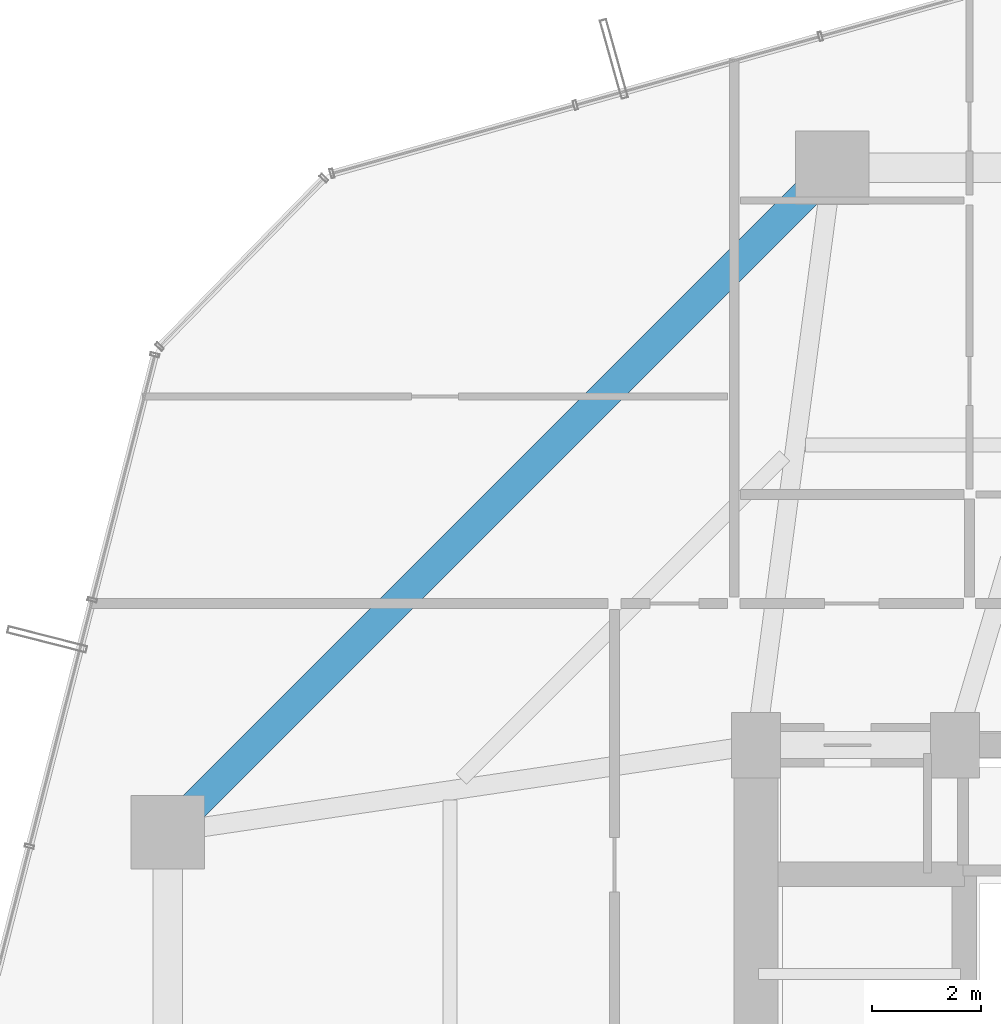
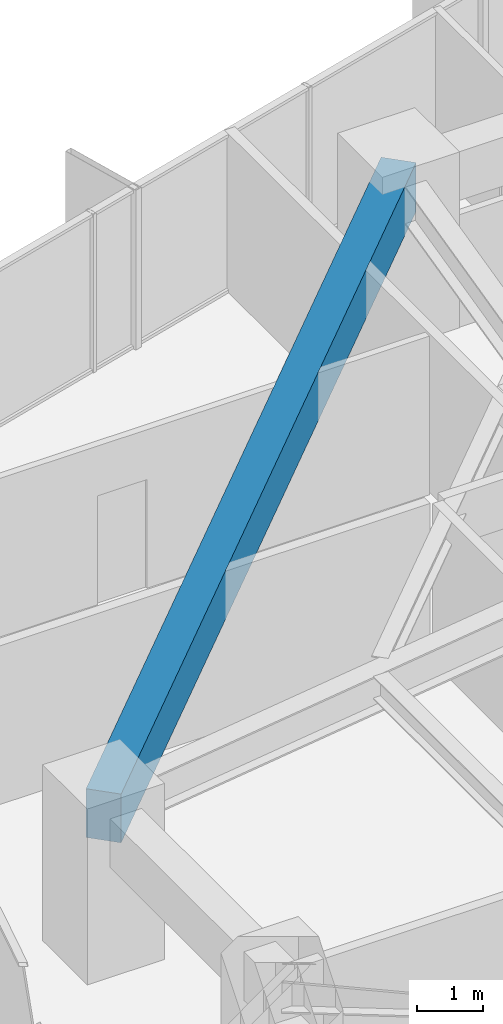
# One storey, part 23 of 39: 1 beam.
"""IFC4 building model written with IfcOpenShell, lengths in metres."""

from ifc_helpers import new_model, si_unit, direction, frame, origin, origin_2d, place, context, subcontext, project, spatial, rectangle, extrude, material, material_profile, profile_set, type_object, element, save


model = new_model("IFC4")

# Units and contexts
model_context = context("Model", 3, precision=1e-05, world=origin(), true_north=direction((0.0, 1.0)))
body_context = subcontext(model_context, "Body", "Model", "MODEL_VIEW")
ifc_project = project(units=[si_unit("LENGTHUNIT", "METRE"), si_unit("AREAUNIT", "SQUARE_METRE"), si_unit("VOLUMEUNIT", "CUBIC_METRE"), si_unit("PLANEANGLEUNIT", "RADIAN"), si_unit("MASSUNIT", "GRAM", prefix="KILO")], contexts=[model_context])

# Site, building, storey
site_placement = place(None, origin())
site = spatial("IfcSite", under=ifc_project, at=site_placement, CompositionType="ELEMENT")
building_placement = place(site_placement, origin())
building = spatial("IfcBuilding", under=site, at=building_placement, Name="Veraguas Prism Commons", CompositionType="ELEMENT")
storey_placement = place(building_placement, frame((0.0, 0.0, 77.10009765625)))
storey = spatial("IfcBuildingStorey", under=building, at=storey_placement, Name="L21", CompositionType="ELEMENT", Elevation=77.10009765625)

# Beam
ifc_material = material(Name="Concrete C50/60", Category="concrete")
ifc_material_profile = material_profile(ifc_material, rectangle(XDim=0.550048828125, YDim=0.89990234375, at=origin_2d()), Name="RC550X900")
ifc_profile_set = profile_set([ifc_material_profile], Name="Concrete C50/60")
beam_type = type_object("IfcBeamType", Name="Perimeter Spandrel Lower RC 550x900", PredefinedType="SPANDREL", material=ifc_profile_set)
beam_placement = place(storey_placement, frame((18.60009765625, 41.60009765625, 2.47998046875), z_axis=(-0.707106781187, -0.707106781187, 0.0), x_axis=(0.707106781187, -0.707106781187, 0.0)))
element("IfcBeam", 1, at=beam_placement, inside=storey, type_object=beam_type, Name="Perimeter Spandrel Beam L21-SP06", PredefinedType="SPANDREL", context=body_context, shape_type="SweptSolid", body=[
    extrude(rectangle(XDim=0.550048828125, YDim=0.89990234375, at=origin_2d()), origin(), (0.0, 0.0, 1.0), 17.253662109375),
])

save(model, "model.ifc")
